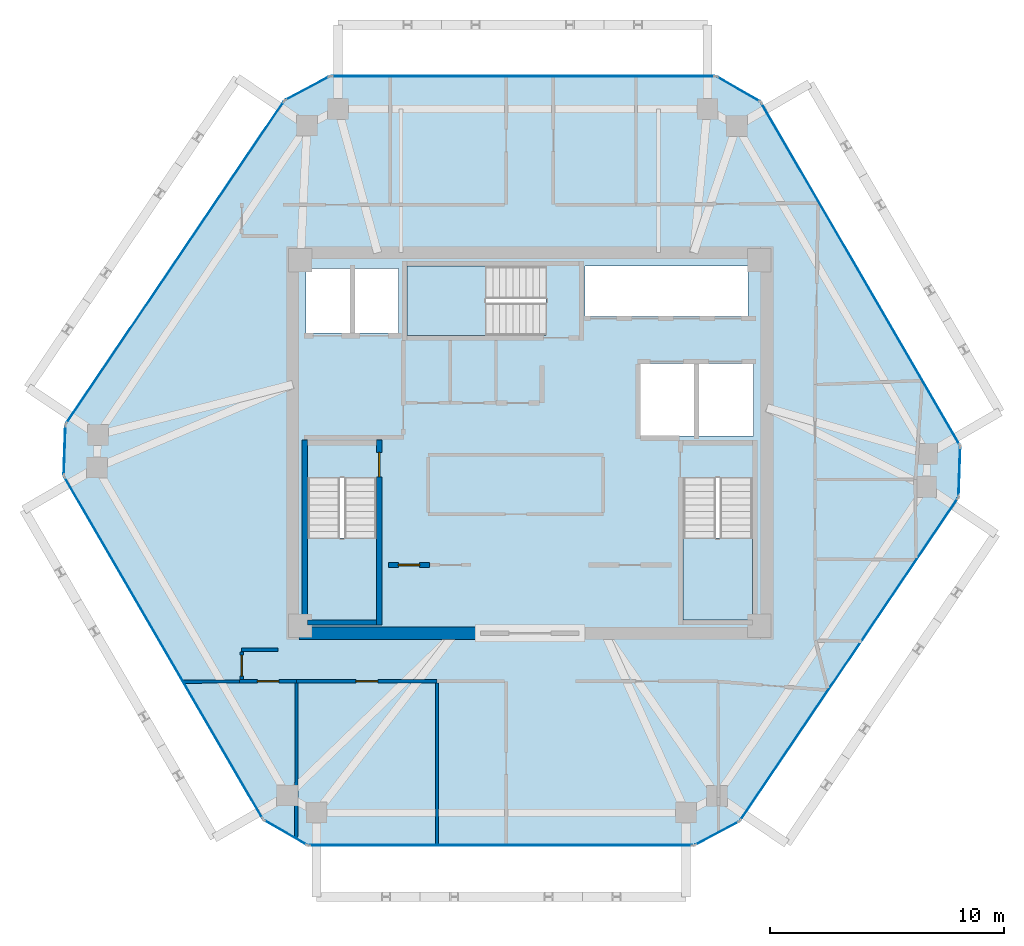
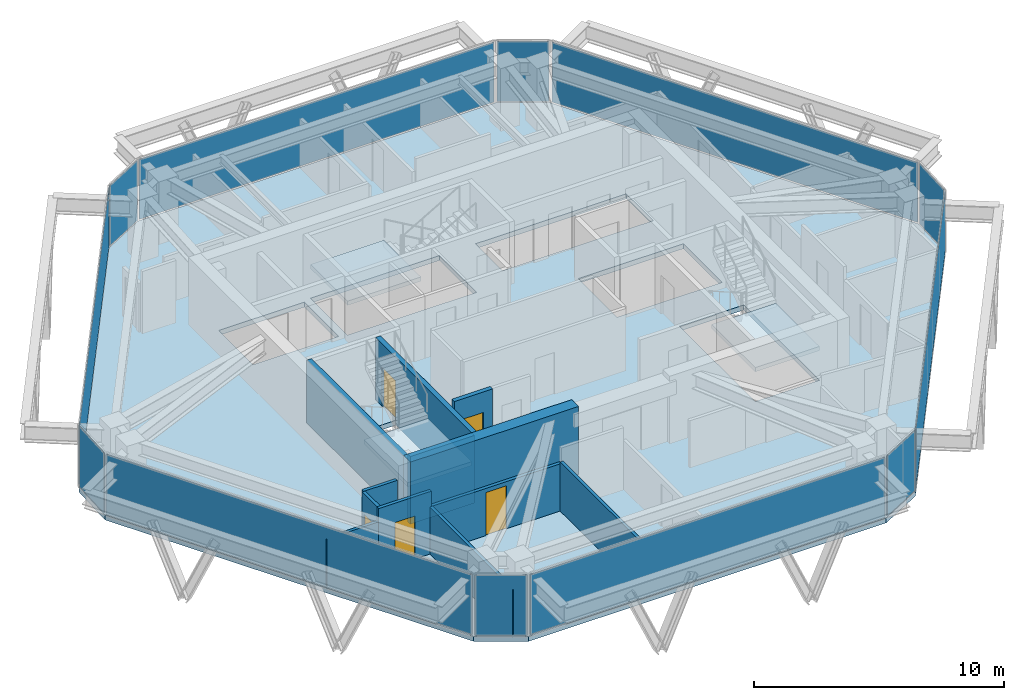
# One storey, part 7 of 11: 12 plates, 12 walls, 5 doors, 4 slabs, 5 openings, 15 elements without a shape of their own.
"""IFC4 building model written with IfcOpenShell, lengths in metres."""

from ifc_helpers import new_model, si_unit, direction, frame, frame_2d, origin, origin_2d, place, context, subcontext, project, spatial, polyline, rectangle, outline, extrude, source, transform, mapped, material, layer, layer_set, type_object, type_shapes, element, fill, aggregate, save


model = new_model("IFC4")

# Units and contexts
model_context = context("Model", 3, precision=1e-05, world=origin(), true_north=direction((0.0, 1.0)))
body_context = subcontext(model_context, "Body", "Model", "MODEL_VIEW")
ifc_project = project(units=[si_unit("LENGTHUNIT", "METRE"), si_unit("AREAUNIT", "SQUARE_METRE"), si_unit("VOLUMEUNIT", "CUBIC_METRE"), si_unit("PLANEANGLEUNIT", "RADIAN"), si_unit("MASSUNIT", "GRAM", prefix="KILO")], contexts=[model_context])

# Site, building, storey
site_placement = place(None, origin())
site = spatial("IfcSite", under=ifc_project, at=site_placement, CompositionType="ELEMENT")
building_placement = place(site_placement, origin())
building = spatial("IfcBuilding", under=site, at=building_placement, Name="Durnholm Broadcast Tower", CompositionType="ELEMENT")
storey_placement = place(building_placement, frame((0.0, 0.0, 231.5)))
storey = spatial("IfcBuildingStorey", under=building, at=storey_placement, Name="L64", CompositionType="ELEMENT", Elevation=231.5)

# Slab
ifc_material_1 = material(Name="Concrete C50/60", Category="concrete")
ifc_layer_1 = layer(ifc_material_1, 0.239990234375)
ifc_layer_set_1 = layer_set([ifc_layer_1], Name="Concrete C50/60")
slab_type_1 = type_object("IfcSlabType", Name="SLAB-FLR-240", PredefinedType="FLOOR", material=ifc_layer_set_1)
slab_1_placement = place(storey_placement, frame((0.0, 0.0, -0.239990234375)))
element("IfcSlab", 1, at=slab_1_placement, inside=storey, type_object=slab_type_1, Name="L64 structural floor slab", PredefinedType="FLOOR", context=body_context, shape_type="SweptSolid", body=[
    extrude(outline(polyline([(-11.384521484375, -16.088134765625), (-9.47802734375, -17.18603515625), (7.012451171875, -17.18603515625), (8.955322265625, -16.154296875), (18.307861328125, -2.3203125), (18.38330078125, -0.12158203125), (9.8603515625, 14.564208984375), (7.9541015625, 15.662109375), (-8.536376953125, 15.662109375), (-10.4794921875, 14.630126953125), (-19.831787109375, 0.79638671875), (-19.9072265625, -1.40234375), (-11.384521484375, -16.088134765625)]), holes=[polyline([(-6.5400390625, -1.5), (-9.5, -1.5), (-9.5, -7.550048828125), (-6.5400390625, -7.550048828125), (-6.5400390625, -1.5)]), polyline([(9.5, -7.550048828125), (9.5, -1.5), (6.5400390625, -1.5), (6.5400390625, -7.550048828125), (9.5, -7.550048828125)]), polyline([(9.550048828125, 3.39990234375), (4.699951171875, 3.39990234375), (4.699951171875, 0.300048828125), (9.550048828125, 0.300048828125), (9.550048828125, 3.39990234375)]), polyline([(-9.550048828125, 7.449951171875), (-9.550048828125, 4.699951171875), (-5.60009765625, 4.699951171875), (-5.60009765625, 7.449951171875), (-9.550048828125, 7.449951171875)]), polyline([(-5.25, 4.60009765625), (0.699951171875, 4.60009765625), (0.699951171875, 7.56005859375), (-5.25, 7.56005859375), (-5.25, 4.60009765625)]), polyline([(9.31005859375, 7.550048828125), (2.35009765625, 7.550048828125), (2.35009765625, 5.39990234375), (9.31005859375, 5.39990234375), (9.31005859375, 7.550048828125)])]), origin(), (0.0, 0.0, 1.0), 0.239990234375),
])

# Stair, slab
stair_type = type_object("IfcStairType", Name="STAIR-DL-20R1650", PredefinedType="HALF_TURN_STAIR", material=ifc_material_1)
stair_1_placement = place(storey_placement, origin())
stair_1 = element("IfcStair", 2, at=stair_1_placement, inside=storey, type_object=stair_type, Name="L64 ST-1", PredefinedType="HALF_TURN_STAIR")
ifc_layer_2 = layer(ifc_material_1, 0.199951171875)
ifc_layer_set_2 = layer_set([ifc_layer_2], Name="Concrete C50/60")
slab_type_2 = type_object("IfcSlabType", Name="SLAB-LND-200", PredefinedType="LANDING", material=ifc_layer_set_2)
slab_2_placement = place(storey_placement, frame((0.0, 0.0, 1.449951171875)))
slab_2 = element("IfcSlab", 3, at=slab_2_placement, type_object=slab_type_2, Name="ST-1 landing 1", PredefinedType="LANDING", context=body_context, shape_type="SweptSolid", body=[
    extrude(outline(polyline([(-9.5, -4.06494140625), (-9.5, -7.550048828125), (-6.5400390625, -7.550048828125), (-6.5400390625, -4.06494140625), (-9.5, -4.06494140625)])), origin(), (0.0, 0.0, 1.0), 0.199951171875),
])
aggregate(stair_1, [slab_2])

stair_2_placement = place(storey_placement, origin())
stair_2 = element("IfcStair", 4, at=stair_2_placement, inside=storey, type_object=stair_type, Name="L64 ST-2", PredefinedType="HALF_TURN_STAIR")
slab_3_placement = place(storey_placement, frame((0.0, 0.0, 1.449951171875)))
slab_3 = element("IfcSlab", 5, at=slab_3_placement, type_object=slab_type_2, Name="ST-2 landing 1", PredefinedType="LANDING", context=body_context, shape_type="SweptSolid", body=[
    extrude(outline(polyline([(6.5400390625, -4.06494140625), (6.5400390625, -7.550048828125), (9.5, -7.550048828125), (9.5, -4.06494140625), (6.5400390625, -4.06494140625)])), origin(), (0.0, 0.0, 1.0), 0.199951171875),
])
aggregate(stair_2, [slab_3])

stair_3_placement = place(storey_placement, origin())
stair_3 = element("IfcStair", 6, at=stair_3_placement, inside=storey, type_object=stair_type, Name="L64 ST-3", PredefinedType="HALF_TURN_STAIR")
slab_4_placement = place(storey_placement, frame((0.0, 0.0, 1.449951171875)))
slab_4 = element("IfcSlab", 7, at=slab_4_placement, type_object=slab_type_2, Name="ST-3 landing 1", PredefinedType="LANDING", context=body_context, shape_type="SweptSolid", body=[
    extrude(outline(polyline([(-1.864990234375, 7.56005859375), (-5.25, 7.56005859375), (-5.25, 4.60009765625), (-1.864990234375, 4.60009765625), (-1.864990234375, 7.56005859375)])), origin(), (0.0, 0.0, 1.0), 0.199951171875),
])
aggregate(stair_3, [slab_4])

# Curtain wall, plate
ifc_material_2 = material(Name="Aluminium and Solar Control IGU", Category="aluminium")
ifc_layer_3 = layer(ifc_material_2, 0.1650390625)
ifc_layer_set_3 = layer_set([ifc_layer_3], Name="Aluminium and Solar Control IGU")
curtain_wall_type_1 = type_object("IfcCurtainWallType", Name="CW-SYS-5", PredefinedType="NOTDEFINED", material=ifc_layer_set_3)
curtain_wall_1_placement = place(storey_placement, origin())
curtain_wall_1 = element("IfcCurtainWall", 8, at=curtain_wall_1_placement, inside=storey, type_object=curtain_wall_type_1, Name="L64 curtain wall CW-CORNER CW-L64-CRN-01", PredefinedType="NOTDEFINED")
ifc_material_3 = material(Name="Low-E Laminated Insulating Glass", Category="glass")
ifc_layer_4 = layer(ifc_material_3, 0.030029296875)
ifc_layer_set_4 = layer_set([ifc_layer_4], Name="Low-E Laminated Insulating Glass")
plate_type_1 = type_object("IfcPlateType", Name="CW-SYS-5-PNL", PredefinedType="CURTAIN_PANEL", material=ifc_layer_set_4)
shared_shape_1 = source(origin(), body_context, "Body", "SweptSolid", [
    extrude(rectangle(XDim=2.070068359375, YDim=0.030029296875, at=origin_2d()), origin(), (0.0, 0.0, 1.0), 2.929931640625),
])
plate_1_placement = place(storey_placement, frame((-19.86962890625, -0.302978515625, 0.06494140625), z_axis=(0.0, 0.0, 1.0), x_axis=(0.034318245849, 0.999410955514, 0.0)))
plate_1 = element("IfcPlate", 9, at=plate_1_placement, type_object=plate_type_1, Name="CW-CORNER panel 1.1", PredefinedType="CURTAIN_PANEL", context=body_context, shape_type="MappedRepresentation", body=[
    mapped(shared_shape_1, transform((0.0, 0.0, 0.0), x_axis=(1.0, 0.0, 0.0), y_axis=(0.0, 1.0, 0.0), z_axis=(0.0, 0.0, 1.0), scale=1.0)),
])
aggregate(curtain_wall_1, [plate_1])

curtain_wall_2_placement = place(storey_placement, origin())
curtain_wall_2 = element("IfcCurtainWall", 10, at=curtain_wall_2_placement, inside=storey, type_object=curtain_wall_type_1, Name="L64 curtain wall CW-CORNER CW-L64-CRN-03", PredefinedType="NOTDEFINED")
plate_2_placement = place(storey_placement, frame((-9.5078125, 15.14599609375, 0.06494140625), z_axis=(0.0, 0.0, 1.0), x_axis=(0.883194569853, 0.469006771575, 0.0)))
plate_2 = element("IfcPlate", 11, at=plate_2_placement, type_object=plate_type_1, Name="CW-CORNER panel 1.1", PredefinedType="CURTAIN_PANEL", context=body_context, shape_type="MappedRepresentation", body=[
    mapped(shared_shape_1, transform((0.0, 0.0, 0.0), x_axis=(1.0, 0.0, 0.0), y_axis=(0.0, 1.0, 0.0), z_axis=(0.0, 0.0, 1.0), scale=1.0)),
])
aggregate(curtain_wall_2, [plate_2])

curtain_wall_3_placement = place(storey_placement, origin())
curtain_wall_3 = element("IfcCurtainWall", 12, at=curtain_wall_3_placement, inside=storey, type_object=curtain_wall_type_1, Name="L64 curtain wall CW-CORNER CW-L64-CRN-07", PredefinedType="NOTDEFINED")
plate_3_placement = place(storey_placement, frame((18.345458984375, -1.220947265625, 0.06494140625), z_axis=(0.0, 0.0, 1.0), x_axis=(-0.034318245849, -0.999410955514, 0.0)))
plate_3 = element("IfcPlate", 13, at=plate_3_placement, type_object=plate_type_1, Name="CW-CORNER panel 1.1", PredefinedType="CURTAIN_PANEL", context=body_context, shape_type="MappedRepresentation", body=[
    mapped(shared_shape_1, transform((0.0, 0.0, 0.0), x_axis=(1.0, 0.0, 0.0), y_axis=(0.0, 1.0, 0.0), z_axis=(0.0, 0.0, 1.0), scale=1.0)),
])
aggregate(curtain_wall_3, [plate_3])

curtain_wall_4_placement = place(storey_placement, origin())
curtain_wall_4 = element("IfcCurtainWall", 14, at=curtain_wall_4_placement, inside=storey, type_object=curtain_wall_type_1, Name="L64 curtain wall CW-CORNER CW-L64-CRN-09", PredefinedType="NOTDEFINED")
plate_4_placement = place(storey_placement, frame((7.98388671875, -16.670166015625, 0.06494140625), z_axis=(0.0, 0.0, 1.0), x_axis=(-0.883194569853, -0.469006771575, 0.0)))
plate_4 = element("IfcPlate", 15, at=plate_4_placement, type_object=plate_type_1, Name="CW-CORNER panel 1.1", PredefinedType="CURTAIN_PANEL", context=body_context, shape_type="MappedRepresentation", body=[
    mapped(shared_shape_1, transform((0.0, 0.0, 0.0), x_axis=(1.0, 0.0, 0.0), y_axis=(0.0, 1.0, 0.0), z_axis=(0.0, 0.0, 1.0), scale=1.0)),
])
aggregate(curtain_wall_4, [plate_4])

ifc_layer_5 = layer(ifc_material_2, 0.18994140625)
ifc_layer_set_5 = layer_set([ifc_layer_5], Name="Aluminium and Solar Control IGU")
curtain_wall_type_2 = type_object("IfcCurtainWallType", Name="CW-SYS-4", PredefinedType="NOTDEFINED", material=ifc_layer_set_5)
curtain_wall_5_placement = place(storey_placement, origin())
curtain_wall_5 = element("IfcCurtainWall", 16, at=curtain_wall_5_placement, inside=storey, type_object=curtain_wall_type_2, Name="L64 curtain wall CW-Z34-VIS CW-L64-F02", PredefinedType="NOTDEFINED")
ifc_layer_6 = layer(ifc_material_3, 0.033935546875)
ifc_layer_set_6 = layer_set([ifc_layer_6], Name="Low-E Laminated Insulating Glass")
plate_type_2 = type_object("IfcPlateType", Name="CW-SYS-4-PNL", PredefinedType="CURTAIN_PANEL", material=ifc_layer_set_6)
shared_shape_2 = source(origin(), body_context, "Body", "SweptSolid", [
    extrude(rectangle(XDim=16.55859375, YDim=0.033935546875, at=origin_2d()), origin(), (0.0, 0.0, 1.0), 2.919921875),
])
plate_5_placement = place(storey_placement, frame((-15.155517578125, 7.71337890625, 0.070068359375), z_axis=(0.0, 0.0, 1.0), x_axis=(0.560072745753, 0.828443431662, 0.0)))
plate_5 = element("IfcPlate", 17, at=plate_5_placement, type_object=plate_type_2, Name="CW-Z34-VIS panel 1.1", PredefinedType="CURTAIN_PANEL", context=body_context, shape_type="MappedRepresentation", body=[
    mapped(shared_shape_2, transform((0.0, 0.0, 0.0), x_axis=(1.0, 0.0, 0.0), y_axis=(0.0, 1.0, 0.0), z_axis=(0.0, 0.0, 1.0), scale=1.0)),
])
aggregate(curtain_wall_5, [plate_5])

curtain_wall_6_placement = place(storey_placement, origin())
curtain_wall_6 = element("IfcCurtainWall", 18, at=curtain_wall_6_placement, inside=storey, type_object=curtain_wall_type_2, Name="L64 curtain wall CW-Z34-VIS CW-L64-F08", PredefinedType="NOTDEFINED")
plate_6_placement = place(storey_placement, frame((13.631591796875, -9.2373046875, 0.070068359375), z_axis=(0.0, 0.0, 1.0), x_axis=(-0.560072745753, -0.828443431662, 0.0)))
plate_6 = element("IfcPlate", 19, at=plate_6_placement, type_object=plate_type_2, Name="CW-Z34-VIS panel 1.1", PredefinedType="CURTAIN_PANEL", context=body_context, shape_type="MappedRepresentation", body=[
    mapped(shared_shape_2, transform((0.0, 0.0, 0.0), x_axis=(1.0, 0.0, 0.0), y_axis=(0.0, 1.0, 0.0), z_axis=(0.0, 0.0, 1.0), scale=1.0)),
])
aggregate(curtain_wall_6, [plate_6])

curtain_wall_7_placement = place(storey_placement, origin())
curtain_wall_7 = element("IfcCurtainWall", 20, at=curtain_wall_7_placement, inside=storey, type_object=curtain_wall_type_2, Name="L64 curtain wall CW-Z34-VIS CW-L64-F04", PredefinedType="NOTDEFINED")
shared_shape_3 = source(origin(), body_context, "Body", "SweptSolid", [
    extrude(rectangle(XDim=16.350341796875, YDim=0.033935546875, at=origin_2d()), origin(), (0.0, 0.0, 1.0), 2.919921875),
])
plate_7_placement = place(storey_placement, frame((-0.291259765625, 15.662109375, 0.070068359375), z_axis=(0.0, 0.0, 1.0), x_axis=(1.0, 0.0, 0.0)))
plate_7 = element("IfcPlate", 21, at=plate_7_placement, type_object=plate_type_2, Name="CW-Z34-VIS panel 1.1", PredefinedType="CURTAIN_PANEL", context=body_context, shape_type="MappedRepresentation", body=[
    mapped(shared_shape_3, transform((0.0, 0.0, 0.0), x_axis=(1.0, 0.0, 0.0), y_axis=(0.0, 1.0, 0.0), z_axis=(0.0, 0.0, 1.0), scale=1.0)),
])
aggregate(curtain_wall_7, [plate_7])

curtain_wall_8_placement = place(storey_placement, origin())
curtain_wall_8 = element("IfcCurtainWall", 22, at=curtain_wall_8_placement, inside=storey, type_object=curtain_wall_type_2, Name="L64 curtain wall CW-Z34-VIS CW-L64-F10", PredefinedType="NOTDEFINED")
plate_8_placement = place(storey_placement, frame((-1.23291015625, -17.18603515625, 0.070068359375), z_axis=(0.0, 0.0, 1.0), x_axis=(-1.0, 0.0, 0.0)))
plate_8 = element("IfcPlate", 23, at=plate_8_placement, type_object=plate_type_2, Name="CW-Z34-VIS panel 1.1", PredefinedType="CURTAIN_PANEL", context=body_context, shape_type="MappedRepresentation", body=[
    mapped(shared_shape_3, transform((0.0, 0.0, 0.0), x_axis=(1.0, 0.0, 0.0), y_axis=(0.0, 1.0, 0.0), z_axis=(0.0, 0.0, 1.0), scale=1.0)),
])
aggregate(curtain_wall_8, [plate_8])

curtain_wall_9_placement = place(storey_placement, origin())
curtain_wall_9 = element("IfcCurtainWall", 24, at=curtain_wall_9_placement, inside=storey, type_object=curtain_wall_type_1, Name="L64 curtain wall CW-CORNER CW-L64-CRN-05", PredefinedType="NOTDEFINED")
shared_shape_4 = source(origin(), body_context, "Body", "SweptSolid", [
    extrude(rectangle(XDim=2.06982421875, YDim=0.030029296875, at=origin_2d()), origin(), (0.0, 0.0, 1.0), 2.929931640625),
])
type_shapes(plate_type_1, [shared_shape_1, shared_shape_4])
plate_9_placement = place(storey_placement, frame((8.9072265625, 15.113037109375, 0.06494140625), z_axis=(0.0, 0.0, 1.0), x_axis=(0.866568249707, -0.499058582333, 0.0)))
plate_9 = element("IfcPlate", 25, at=plate_9_placement, type_object=plate_type_1, Name="CW-CORNER panel 1.1", PredefinedType="CURTAIN_PANEL", context=body_context, shape_type="MappedRepresentation", body=[
    mapped(shared_shape_4, transform((0.0, 0.0, 0.0), x_axis=(1.0, 0.0, 0.0), y_axis=(0.0, 1.0, 0.0), z_axis=(0.0, 0.0, 1.0), scale=1.0)),
])
aggregate(curtain_wall_9, [plate_9])

curtain_wall_10_placement = place(storey_placement, origin())
curtain_wall_10 = element("IfcCurtainWall", 26, at=curtain_wall_10_placement, inside=storey, type_object=curtain_wall_type_1, Name="L64 curtain wall CW-CORNER CW-L64-CRN-11", PredefinedType="NOTDEFINED")
plate_10_placement = place(storey_placement, frame((-10.43115234375, -16.636962890625, 0.06494140625), z_axis=(0.0, 0.0, 1.0), x_axis=(-0.866568249707, 0.499058582333, 0.0)))
plate_10 = element("IfcPlate", 27, at=plate_10_placement, type_object=plate_type_1, Name="CW-CORNER panel 1.1", PredefinedType="CURTAIN_PANEL", context=body_context, shape_type="MappedRepresentation", body=[
    mapped(shared_shape_4, transform((0.0, 0.0, 0.0), x_axis=(1.0, 0.0, 0.0), y_axis=(0.0, 1.0, 0.0), z_axis=(0.0, 0.0, 1.0), scale=1.0)),
])
aggregate(curtain_wall_10, [plate_10])

curtain_wall_11_placement = place(storey_placement, origin())
curtain_wall_11 = element("IfcCurtainWall", 28, at=curtain_wall_11_placement, inside=storey, type_object=curtain_wall_type_2, Name="L64 curtain wall CW-Z34-VIS CW-L64-F06", PredefinedType="NOTDEFINED")
shared_shape_5 = source(origin(), body_context, "Body", "SweptSolid", [
    extrude(rectangle(XDim=16.83984375, YDim=0.033935546875, at=origin_2d()), origin(), (0.0, 0.0, 1.0), 2.919921875),
])
type_shapes(plate_type_2, [shared_shape_2, shared_shape_3, shared_shape_5])
plate_11_placement = place(storey_placement, frame((14.121826171875, 7.22119140625, 0.070068359375), z_axis=(0.0, 0.0, 1.0), x_axis=(0.50194441023, -0.864899883824, 0.0)))
plate_11 = element("IfcPlate", 29, at=plate_11_placement, type_object=plate_type_2, Name="CW-Z34-VIS panel 1.1", PredefinedType="CURTAIN_PANEL", context=body_context, shape_type="MappedRepresentation", body=[
    mapped(shared_shape_5, transform((0.0, 0.0, 0.0), x_axis=(1.0, 0.0, 0.0), y_axis=(0.0, 1.0, 0.0), z_axis=(0.0, 0.0, 1.0), scale=1.0)),
])
aggregate(curtain_wall_11, [plate_11])

curtain_wall_12_placement = place(storey_placement, origin())
curtain_wall_12 = element("IfcCurtainWall", 30, at=curtain_wall_12_placement, inside=storey, type_object=curtain_wall_type_2, Name="L64 curtain wall CW-Z34-VIS CW-L64-F12", PredefinedType="NOTDEFINED")
plate_12_placement = place(storey_placement, frame((-15.645751953125, -8.7451171875, 0.070068359375), z_axis=(0.0, 0.0, 1.0), x_axis=(-0.50194441023, 0.864899883824, 0.0)))
plate_12 = element("IfcPlate", 31, at=plate_12_placement, type_object=plate_type_2, Name="CW-Z34-VIS panel 1.1", PredefinedType="CURTAIN_PANEL", context=body_context, shape_type="MappedRepresentation", body=[
    mapped(shared_shape_5, transform((0.0, 0.0, 0.0), x_axis=(1.0, 0.0, 0.0), y_axis=(0.0, 1.0, 0.0), z_axis=(0.0, 0.0, 1.0), scale=1.0)),
])
aggregate(curtain_wall_12, [plate_12])

# Wall
ifc_material_4 = material(Name="Concrete C70/85", Category="concrete")
ifc_layer_7 = layer(ifc_material_4, 0.550048828125)
ifc_layer_set_7 = layer_set([ifc_layer_7], Name="Concrete C70/85")
wall_type_1 = type_object("IfcWallType", Name="WALL-CW-550", PredefinedType="SHEAR", material=ifc_layer_set_7)
wall_1_placement = place(storey_placement, frame((-9.85009765625, -8.125, 0.0), z_axis=(0.0, 0.0, 1.0), x_axis=(1.0, 0.0, 0.0)))
element("IfcWall", 32, at=wall_1_placement, inside=storey, type_object=wall_type_1, Name="L64 central core shear wall CW-S1", PredefinedType="SHEAR", context=body_context, shape_type="SweptSolid", body=[
    extrude(rectangle(XDim=7.75, YDim=0.550048828125, at=frame_2d((3.875, 0.0))), origin(), (0.0, 0.0, 1.0), 3.300048828125),
])

# Wall, opening, door
ifc_material_5 = material(Name="Fire-Rated Gypsum Shaftwall", Category="concrete")
ifc_layer_8 = layer(ifc_material_5, 0.199951171875)
ifc_layer_set_8 = layer_set([ifc_layer_8], Name="Fire-Rated Gypsum Shaftwall")
wall_type_2 = type_object("IfcWallType", Name="WALL-LOB-200", PredefinedType="SOLIDWALL", material=ifc_layer_set_8)
wall_2_placement = place(storey_placement, frame((-6.0400390625, -5.2099609375, 0.0), z_axis=(0.0, 0.0, 1.0), x_axis=(1.0, 0.0, 0.0)))
wall_2 = element("IfcWall", 33, at=wall_2_placement, inside=storey, type_object=wall_type_2, Name="L64 Media Fiber Patch Room corridor partition", PredefinedType="SOLIDWALL", context=body_context, shape_type="SweptSolid", body=[
    extrude(rectangle(XDim=1.760009765625, YDim=0.199951171875, at=frame_2d((0.8798828125, 0.0))), origin(), (0.0, 0.0, 1.0), 3.044921875),
])
opening_1_placement = place(wall_2_placement, frame((0.429931640625, 0.0, 0.0)))
opening_1 = element("IfcOpeningElement", 34, at=opening_1_placement, cuts=wall_2, Name="Opening DC-60R", PredefinedType="OPENING", context=body_context, shape_type="SweptSolid", body=[
    extrude(rectangle(XDim=0.89990234375, YDim=2.050048828125, at=frame_2d((0.449951171875, 1.02490234375))), frame((0.0, 0.10986328125, 0.0), z_axis=(0.0, -1.0, 0.0), x_axis=(1.0, 0.0, 0.0)), (0.0, 0.0, 1.0), 0.219970703125),
])
ifc_material_6 = material(Name="Fire-Rated Core Service Door", Category="steel")
ifc_layer_9 = layer(ifc_material_6, 0.050048828125)
ifc_layer_set_9 = layer_set([ifc_layer_9], Name="Fire-Rated Core Service Door")
door_type_1 = type_object("IfcDoorType", Name="DOOR-CORE-FD60-R", OperationType="NOTDEFINED", PredefinedType="DOOR", material=ifc_layer_set_9)
shared_shape_6 = source(origin(), body_context, "Body", "SweptSolid", [
    extrude(rectangle(XDim=0.89990234375, YDim=2.050048828125, at=frame_2d((0.449951171875, 1.02490234375))), frame((0.0, 0.02490234375, 0.0), z_axis=(0.0, -1.0, 0.0), x_axis=(1.0, 0.0, 0.0)), (0.0, 0.0, 1.0), 0.050048828125),
])
type_shapes(door_type_1, [shared_shape_6])
door_1_placement = place(opening_1_placement, origin())
door_1 = element("IfcDoor", 35, at=door_1_placement, inside=storey, type_object=door_type_1, Name="L64 Media Fiber Patch Room entrance door", OperationType="SINGLE_SWING_RIGHT", OverallHeight=2.050048828125, OverallWidth=0.89990234375, PredefinedType="DOOR", context=body_context, shape_type="MappedRepresentation", body=[
    mapped(shared_shape_6, transform((0.0, 0.0, 0.0), x_axis=(1.0, 0.0, 0.0), y_axis=(0.0, 1.0, 0.0), z_axis=(0.0, 0.0, 1.0), scale=1.0)),
])
fill(opening_1, door_1)

# Walls
ifc_material_7 = material(Name="Gypsum Metal Stud Partition", Category="concrete")
ifc_layer_10 = layer(ifc_material_7, 0.135009765625)
ifc_layer_set_10 = layer_set([ifc_layer_10], Name="Gypsum Metal Stud Partition")
wall_type_3 = type_object("IfcWallType", Name="WALL-PART-135", PredefinedType="PARTITIONING", material=ifc_layer_set_10)
wall_3_placement = place(storey_placement, frame((-9.960205078125, -10.259033203125, 0.0), z_axis=(0.0, 0.0, 1.0), x_axis=(-0.002979132758, -0.999995562374, 0.0)))
element("IfcWall", 36, at=wall_3_placement, inside=storey, type_object=wall_type_3, Name="L64 room dividing partition 15.16", PredefinedType="PARTITIONING", context=body_context, shape_type="SweptSolid", body=[
    extrude(rectangle(XDim=6.637939453125, YDim=0.135009765625, at=frame_2d((3.31884765625, 0.0))), origin(), (0.0, 0.0, 1.0), 2.30126953125),
])
wall_4_placement = place(storey_placement, frame((-14.801513671875, -10.199951171875, 0.0), z_axis=(0.0, 0.0, 1.0), x_axis=(0.999968020968, 0.007997314604, 0.0)))
element("IfcWall", 37, at=wall_4_placement, inside=storey, type_object=wall_type_3, Name="L64 room dividing partition 15.20", PredefinedType="PARTITIONING", context=body_context, shape_type="SweptSolid", body=[
    extrude(rectangle(XDim=2.41162109375, YDim=0.135009765625, at=frame_2d((1.205810546875, 0.0))), origin(), (0.0, 0.0, 1.0), 2.398681640625),
])
wall_5_placement = place(storey_placement, frame((-3.9599609375, -10.259033203125, 0.0), z_axis=(0.0, 0.0, 1.0), x_axis=(0.0, -1.0, 0.0)))
element("IfcWall", 38, at=wall_5_placement, inside=storey, type_object=wall_type_3, Name="L64 room dividing partition 16.17", PredefinedType="PARTITIONING", context=body_context, shape_type="SweptSolid", body=[
    extrude(rectangle(XDim=6.927001953125, YDim=0.135009765625, at=frame_2d((3.46337890625, 0.0))), origin(), (0.0, 0.0, 1.0), 2.398681640625),
])

# Wall, opening, door
ifc_material_8 = material(Name="Acoustic Gypsum Stud Partition", Category="concrete")
ifc_layer_11 = layer(ifc_material_8, 0.14990234375)
ifc_layer_set_11 = layer_set([ifc_layer_11], Name="Acoustic Gypsum Stud Partition")
wall_type_4 = type_object("IfcWallType", Name="WALL-PART-150", PredefinedType="PARTITIONING", material=ifc_layer_set_11)
wall_6_placement = place(storey_placement, frame((-12.389892578125, -10.179931640625, 0.0), z_axis=(0.0, 0.0, 1.0), x_axis=(1.0, 0.0, 0.0)))
wall_6 = element("IfcWall", 39, at=wall_6_placement, inside=storey, type_object=wall_type_4, Name="L64 Strategy Office 1 corridor partition", PredefinedType="PARTITIONING", context=body_context, shape_type="SweptSolid", body=[
    extrude(rectangle(XDim=2.429931640625, YDim=0.14990234375, at=frame_2d((1.21484375, 0.0))), origin(), (0.0, 0.0, 1.0), 3.044921875),
])
opening_2_placement = place(wall_6_placement, frame((0.7548828125, 0.0, 0.0)))
opening_2 = element("IfcOpeningElement", 40, at=opening_2_placement, cuts=wall_6, Name="Opening DR-92R", PredefinedType="OPENING", context=body_context, shape_type="SweptSolid", body=[
    extrude(rectangle(XDim=0.919921875, YDim=2.10009765625, at=frame_2d((0.4599609375, 1.050048828125))), frame((0.0, 0.0849609375, 0.0), z_axis=(0.0, -1.0, 0.0), x_axis=(1.0, 0.0, 0.0)), (0.0, 0.0, 1.0), 0.169921875),
])
ifc_material_9 = material(Name="Oak Veneer Office Door", Category="wood")
ifc_layer_12 = layer(ifc_material_9, 0.050048828125)
ifc_layer_set_12 = layer_set([ifc_layer_12], Name="Oak Veneer Office Door")
door_type_2 = type_object("IfcDoorType", Name="DOOR-RM-920R", OperationType="NOTDEFINED", PredefinedType="DOOR", material=ifc_layer_set_12)
shared_shape_7 = source(origin(), body_context, "Body", "SweptSolid", [
    extrude(rectangle(XDim=0.919921875, YDim=2.10009765625, at=frame_2d((0.4599609375, 1.050048828125))), frame((0.0, 0.02490234375, 0.0), z_axis=(0.0, -1.0, 0.0), x_axis=(1.0, 0.0, 0.0)), (0.0, 0.0, 1.0), 0.050048828125),
])
type_shapes(door_type_2, [shared_shape_7])
door_2_placement = place(opening_2_placement, origin())
door_2 = element("IfcDoor", 41, at=door_2_placement, inside=storey, type_object=door_type_2, Name="L64 Strategy Office 1 entrance door", OperationType="SINGLE_SWING_RIGHT", OverallHeight=2.10009765625, OverallWidth=0.919921875, PredefinedType="DOOR", context=body_context, shape_type="MappedRepresentation", body=[
    mapped(shared_shape_7, transform((0.0, 0.0, 0.0), x_axis=(1.0, 0.0, 0.0), y_axis=(0.0, 1.0, 0.0), z_axis=(0.0, 0.0, 1.0), scale=1.0)),
])
fill(opening_2, door_2)

wall_7_placement = place(storey_placement, frame((-9.9599609375, -10.179931640625, 0.0), z_axis=(0.0, 0.0, 1.0), x_axis=(1.0, 0.0, 0.0)))
wall_7 = element("IfcWall", 42, at=wall_7_placement, inside=storey, type_object=wall_type_4, Name="L64 Strategy Office 2 corridor partition", PredefinedType="PARTITIONING", context=body_context, shape_type="SweptSolid", body=[
    extrude(rectangle(XDim=6.0, YDim=0.14990234375, at=frame_2d((3.0, 0.0))), origin(), (0.0, 0.0, 1.0), 2.30126953125),
])
opening_3_placement = place(wall_7_placement, frame((2.52490234375, 0.0, 0.0)))
opening_3 = element("IfcOpeningElement", 43, at=opening_3_placement, cuts=wall_7, Name="Opening DR-95L", PredefinedType="OPENING", context=body_context, shape_type="SweptSolid", body=[
    extrude(rectangle(XDim=0.949951171875, YDim=2.10009765625, at=frame_2d((0.47509765625, 1.050048828125))), frame((0.0, 0.0849609375, 0.0), z_axis=(0.0, -1.0, 0.0), x_axis=(1.0, 0.0, 0.0)), (0.0, 0.0, 1.0), 0.169921875),
])
ifc_material_10 = material(Name="Acoustic Oak Veneer Timber Door", Category="wood")
ifc_layer_13 = layer(ifc_material_10, 0.050048828125)
ifc_layer_set_13 = layer_set([ifc_layer_13], Name="Acoustic Oak Veneer Timber Door")
door_type_3 = type_object("IfcDoorType", Name="DOOR-RM-950L", OperationType="NOTDEFINED", PredefinedType="DOOR", material=ifc_layer_set_13)
shared_shape_8 = source(origin(), body_context, "Body", "SweptSolid", [
    extrude(rectangle(XDim=0.949951171875, YDim=2.10009765625, at=frame_2d((0.47509765625, 1.050048828125))), frame((0.0, 0.02490234375, 0.0), z_axis=(0.0, -1.0, 0.0), x_axis=(1.0, 0.0, 0.0)), (0.0, 0.0, 1.0), 0.050048828125),
])
type_shapes(door_type_3, [shared_shape_8])
door_3_placement = place(opening_3_placement, origin())
door_3 = element("IfcDoor", 44, at=door_3_placement, inside=storey, type_object=door_type_3, Name="L64 Strategy Office 2 entrance door", OperationType="SINGLE_SWING_LEFT", OverallHeight=2.10009765625, OverallWidth=0.949951171875, PredefinedType="DOOR", context=body_context, shape_type="MappedRepresentation", body=[
    mapped(shared_shape_8, transform((0.0, 0.0, 0.0), x_axis=(1.0, 0.0, 0.0), y_axis=(0.0, 1.0, 0.0), z_axis=(0.0, 0.0, 1.0), scale=1.0)),
])
fill(opening_3, door_3)

# Wall
wall_8_placement = place(storey_placement, frame((-10.760009765625, -8.840087890625, 0.0), z_axis=(0.0, 0.0, 1.0), x_axis=(-1.0, 0.0, 0.0)))
element("IfcWall", 45, at=wall_8_placement, inside=storey, type_object=wall_type_4, Name="L64 VP News Office corridor partition", PredefinedType="PARTITIONING", context=body_context, shape_type="SweptSolid", body=[
    extrude(rectangle(XDim=1.550048828125, YDim=0.14990234375, at=frame_2d((0.77490234375, 0.0))), origin(), (0.0, 0.0, 1.0), 3.044921875),
])

# Wall, opening, door
wall_9_placement = place(storey_placement, frame((-12.31005859375, -8.9189453125, 0.0), z_axis=(0.0, 0.0, 1.0), x_axis=(0.0, -1.0, 0.0)))
wall_9 = element("IfcWall", 46, at=wall_9_placement, inside=storey, type_object=wall_type_4, Name="L64 VP News Office corridor partition", PredefinedType="PARTITIONING", context=body_context, shape_type="SweptSolid", body=[
    extrude(rectangle(XDim=1.18212890625, YDim=0.14990234375, at=frame_2d((0.591064453125, 0.0))), origin(), (0.0, 0.0, 1.0), 3.044921875),
])
opening_4_placement = place(wall_9_placement, frame((0.14111328125, 0.0, 0.0)))
opening_4 = element("IfcOpeningElement", 47, at=opening_4_placement, cuts=wall_9, Name="Opening DW-90R", PredefinedType="OPENING", context=body_context, shape_type="SweptSolid", body=[
    extrude(rectangle(XDim=0.89990234375, YDim=2.050048828125, at=frame_2d((0.449951171875, 1.02490234375))), frame((0.0, 0.0849609375, 0.0), z_axis=(0.0, -1.0, 0.0), x_axis=(1.0, 0.0, 0.0)), (0.0, 0.0, 1.0), 0.169921875),
])
ifc_material_11 = material(Name="Laminate Restroom Door", Category="steel")
ifc_layer_14 = layer(ifc_material_11, 0.050048828125)
ifc_layer_set_14 = layer_set([ifc_layer_14], Name="Laminate Restroom Door")
door_type_4 = type_object("IfcDoorType", Name="DOOR-WC-900R", OperationType="NOTDEFINED", PredefinedType="DOOR", material=ifc_layer_set_14)
shared_shape_9 = source(origin(), body_context, "Body", "SweptSolid", [
    extrude(rectangle(XDim=0.89990234375, YDim=2.050048828125, at=frame_2d((0.449951171875, 1.02490234375))), frame((0.0, 0.02490234375, 0.0), z_axis=(0.0, -1.0, 0.0), x_axis=(1.0, 0.0, 0.0)), (0.0, 0.0, 1.0), 0.050048828125),
])
type_shapes(door_type_4, [shared_shape_9])
door_4_placement = place(opening_4_placement, origin())
door_4 = element("IfcDoor", 48, at=door_4_placement, inside=storey, type_object=door_type_4, Name="L64 VP News Office entrance door", OperationType="SINGLE_SWING_RIGHT", OverallHeight=2.050048828125, OverallWidth=0.89990234375, PredefinedType="DOOR", context=body_context, shape_type="MappedRepresentation", body=[
    mapped(shared_shape_9, transform((0.0, 0.0, 0.0), x_axis=(1.0, 0.0, 0.0), y_axis=(0.0, 1.0, 0.0), z_axis=(0.0, 0.0, 1.0), scale=1.0)),
])
fill(opening_4, door_4)

ifc_layer_15 = layer(ifc_material_1, 0.219970703125)
ifc_layer_set_15 = layer_set([ifc_layer_15], Name="Concrete C50/60")
wall_type_5 = type_object("IfcWallType", Name="WALL-SW-220", PredefinedType="SHEAR", material=ifc_layer_set_15)
wall_10_placement = place(storey_placement, frame((-6.429931640625, -7.77001953125, -0.239990234375), z_axis=(0.0, 0.0, 1.0), x_axis=(0.0, 1.0, 0.0)))
wall_10 = element("IfcWall", 49, at=wall_10_placement, inside=storey, type_object=wall_type_5, Name="L64 stair ST-1 structural shaft wall E", PredefinedType="SHEAR", context=body_context, shape_type="SweptSolid", body=[
    extrude(rectangle(XDim=7.89013671875, YDim=0.219970703125, at=frame_2d((3.945068359375, 0.0))), origin(), (0.0, 0.0, 1.0), 3.300048828125),
])
opening_5_placement = place(wall_10_placement, frame((6.320068359375, 0.0, 0.0)))
opening_5 = element("IfcOpeningElement", 50, at=opening_5_placement, cuts=wall_10, Name="Opening DS-90L", PredefinedType="OPENING", context=body_context, shape_type="SweptSolid", body=[
    extrude(rectangle(XDim=1.050048828125, YDim=2.14990234375, at=frame_2d((0.52490234375, 1.074951171875))), frame((0.0, 0.1201171875, 0.0), z_axis=(0.0, -1.0, 0.0), x_axis=(1.0, 0.0, 0.0)), (0.0, 0.0, 1.0), 0.239990234375),
])
ifc_material_12 = material(Name="Fire-Rated Steel Door", Category="steel")
ifc_layer_16 = layer(ifc_material_12, 0.050048828125)
ifc_layer_set_16 = layer_set([ifc_layer_16], Name="Fire-Rated Steel Door")
door_type_5 = type_object("IfcDoorType", Name="DOOR-ST-FD90-L", OperationType="NOTDEFINED", PredefinedType="DOOR", material=ifc_layer_set_16)
shared_shape_10 = source(origin(), body_context, "Body", "SweptSolid", [
    extrude(rectangle(XDim=1.050048828125, YDim=2.14990234375, at=frame_2d((0.52490234375, 1.074951171875))), frame((0.0, 0.02490234375, 0.0), z_axis=(0.0, -1.0, 0.0), x_axis=(1.0, 0.0, 0.0)), (0.0, 0.0, 1.0), 0.050048828125),
])
type_shapes(door_type_5, [shared_shape_10])
door_5_placement = place(opening_5_placement, origin())
door_5 = element("IfcDoor", 51, at=door_5_placement, inside=storey, type_object=door_type_5, Name="L64 exit stair ST-1 fire door", OperationType="SINGLE_SWING_LEFT", OverallHeight=2.14990234375, OverallWidth=1.050048828125, PredefinedType="DOOR", context=body_context, shape_type="MappedRepresentation", body=[
    mapped(shared_shape_10, transform((0.0, 0.0, 0.0), x_axis=(1.0, 0.0, 0.0), y_axis=(0.0, 1.0, 0.0), z_axis=(0.0, 0.0, 1.0), scale=1.0)),
])
fill(opening_5, door_5)

# Walls
wall_11_placement = place(storey_placement, frame((-9.610107421875, 0.1201171875, -0.239990234375), z_axis=(0.0, 0.0, 1.0), x_axis=(0.0, -1.0, 0.0)))
element("IfcWall", 52, at=wall_11_placement, inside=storey, type_object=wall_type_5, Name="L64 stair ST-1 structural shaft wall W", PredefinedType="SHEAR", context=body_context, shape_type="SweptSolid", body=[
    extrude(rectangle(XDim=7.89013671875, YDim=0.219970703125, at=frame_2d((3.945068359375, 0.0))), origin(), (0.0, 0.0, 1.0), 3.300048828125),
])
wall_12_placement = place(storey_placement, frame((-9.5, -7.659912109375, -0.239990234375), z_axis=(0.0, 0.0, 1.0), x_axis=(1.0, 0.0, 0.0)))
element("IfcWall", 53, at=wall_12_placement, inside=storey, type_object=wall_type_5, Name="L64 stair ST-1 structural shaft wall S", PredefinedType="SHEAR", context=body_context, shape_type="SweptSolid", body=[
    extrude(rectangle(XDim=2.9599609375, YDim=0.219970703125, at=frame_2d((1.47998046875, 0.0))), origin(), (0.0, 0.0, 1.0), 3.300048828125),
])

save(model, "model.ifc")
